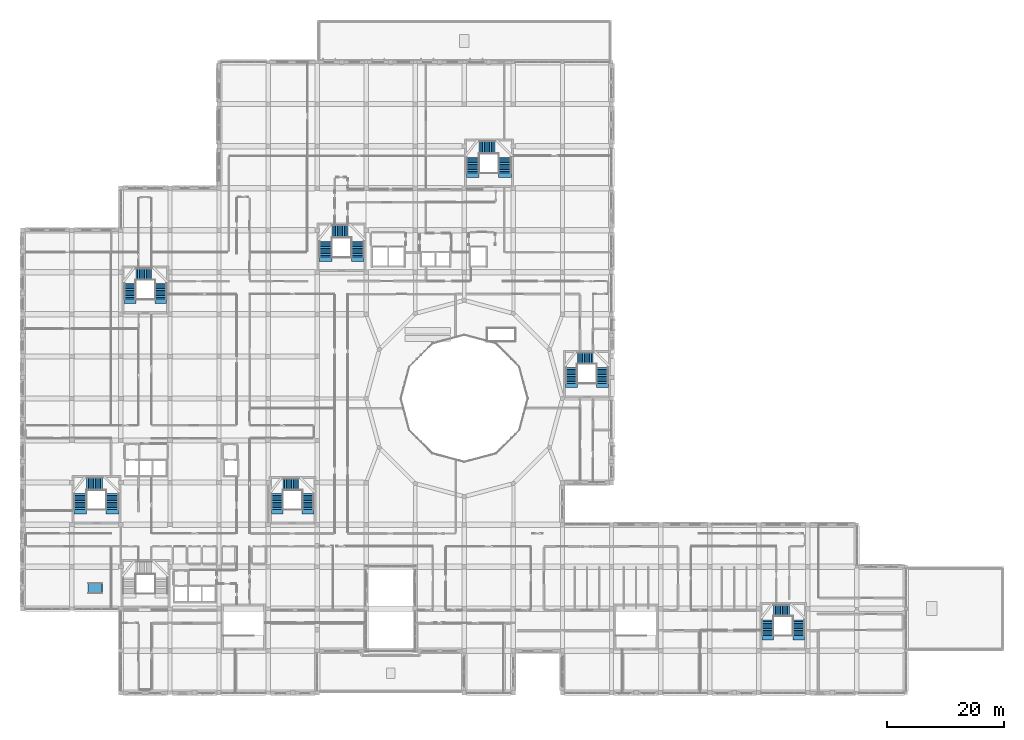
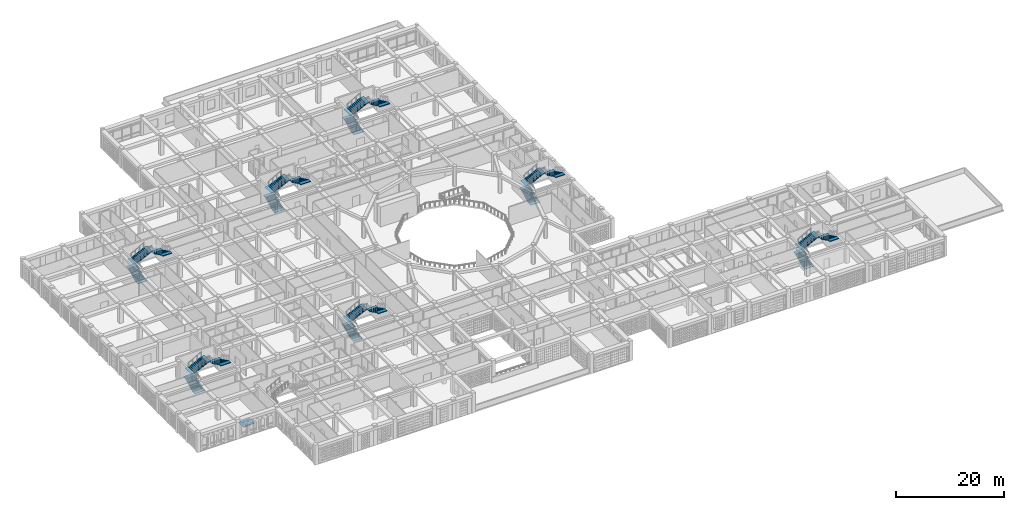
# One storey, part 73 of 111: 21 stair flights, 1 ramp flight, 8 elements without a shape of their own.
"""IFC4 building model written with IfcOpenShell, lengths in metres."""

from ifc_helpers import new_model, si_unit, derived_unit, direction, frame, origin, place, context, subcontext, project, spatial, polyline, outline, extrude, material, layer, layer_set, type_object, element, aggregate, save


model = new_model("IFC4")

# Units and contexts
model_context = context("Model", 3, precision=1e-05, world=origin(), true_north=direction((0.0, 1.0)))
body_context = subcontext(model_context, "Body", "Model", "MODEL_VIEW")
ifc_project = project(units=[si_unit("LENGTHUNIT", "METRE"), si_unit("AREAUNIT", "SQUARE_METRE"), si_unit("VOLUMEUNIT", "CUBIC_METRE"), si_unit("PLANEANGLEUNIT", "RADIAN"), si_unit("MASSUNIT", "GRAM", prefix="KILO"), derived_unit("THERMALTRANSMITTANCEUNIT", [(si_unit("POWERUNIT", "WATT"), 1), (si_unit("LENGTHUNIT", "METRE"), -2), (si_unit("THERMODYNAMICTEMPERATUREUNIT", "KELVIN"), -1)])], contexts=[model_context])

# Site, building, storey
site_placement = place(None, origin())
site = spatial("IfcSite", under=ifc_project, at=site_placement, CompositionType="ELEMENT")
building_placement = place(site_placement, origin())
building = spatial("IfcBuilding", under=site, at=building_placement, Name="Veybourne Emporium", CompositionType="ELEMENT")
storey_placement = place(building_placement, frame((0.0, 0.0, 9.89990234375)))
storey = spatial("IfcBuildingStorey", under=building, at=storey_placement, Name="L02", CompositionType="ELEMENT", Elevation=9.89990234375)

# Stair, stair flights
ifc_material = material(Name="Concrete C32/40", Category="concrete")
stair_type_1 = type_object("IfcStairType", Name="Stair_ST-05-R30", PredefinedType="TWO_QUARTER_TURN_STAIR", material=ifc_material)
stair_1_placement = place(storey_placement, origin())
stair_1 = element("IfcStair", 1, at=stair_1_placement, inside=storey, type_object=stair_type_1, Name="L02 stair ST-05", PredefinedType="TWO_QUARTER_TURN_STAIR")
stair_flight_type_1 = type_object("IfcStairFlightType", Name="Flight_FL-2000-R10", PredefinedType="STRAIGHT", material=ifc_material)
stair_flight_1_placement = place(storey_placement, frame((43.550048828125, 31.39990234375, 0.0), z_axis=(0.0, 0.0, 1.0), x_axis=(0.0, 1.0, 0.0)))
stair_flight_1 = element("IfcStairFlight", 2, at=stair_flight_1_placement, type_object=stair_flight_type_1, Name="ST-05-R30 flight 1", NumberOfRisers=10, NumberOfTreads=9, PredefinedType="STRAIGHT", RiserHeight=0.15, TreadLength=0.3, context=body_context, shape_type="SweptSolid", body=[
    extrude(outline(polyline([(-0.75, 0.0), (-0.75, 0.080078125), (-0.375, 0.080078125), (0.0, 0.080078125), (0.0, 0.14990234375), (0.300048828125, 0.14990234375), (0.300048828125, 0.300048828125), (0.60009765625, 0.300048828125), (0.60009765625, 0.449951171875), (0.89990234375, 0.449951171875), (0.89990234375, 0.60009765625), (1.199951171875, 0.60009765625), (1.199951171875, 0.75), (1.5, 0.75), (1.5, 0.89990234375), (1.800048828125, 0.89990234375), (1.800048828125, 1.050048828125), (2.10009765625, 1.050048828125), (2.10009765625, 1.199951171875), (2.39990234375, 1.199951171875), (2.39990234375, 1.35009765625), (2.699951171875, 1.35009765625), (2.699951171875, 1.5), (3.074951171875, 1.5), (3.449951171875, 1.5), (3.449951171875, 1.340087890625), (3.074951171875, 1.340087890625), (2.699951171875, 1.171142578125), (0.357666015625, 0.0), (-0.75, 0.0)])), frame((0.0, 1.0, 0.0), z_axis=(0.0, -1.0, 0.0), x_axis=(1.0, 0.0, 0.0)), (0.0, 0.0, 1.0), 2.0),
])
stair_flight_2_placement = place(storey_placement, frame((44.550048828125, 35.699951171875, 1.5), z_axis=(0.0, 0.0, 1.0), x_axis=(1.0, 0.0, 0.0)))
stair_flight_2 = element("IfcStairFlight", 3, at=stair_flight_2_placement, type_object=stair_flight_type_1, Name="ST-05-R30 flight 2", NumberOfRisers=10, NumberOfTreads=9, PredefinedType="STRAIGHT", RiserHeight=0.15, TreadLength=0.3, context=body_context, shape_type="SweptSolid", body=[
    extrude(outline(polyline([(-0.75, 0.0), (-0.75, 0.080078125), (-0.375, 0.080078125), (0.0, 0.080078125), (0.0, 0.14990234375), (0.300048828125, 0.14990234375), (0.300048828125, 0.300048828125), (0.60009765625, 0.300048828125), (0.60009765625, 0.449951171875), (0.89990234375, 0.449951171875), (0.89990234375, 0.60009765625), (1.199951171875, 0.60009765625), (1.199951171875, 0.75), (1.5, 0.75), (1.5, 0.89990234375), (1.800048828125, 0.89990234375), (1.800048828125, 1.050048828125), (2.10009765625, 1.050048828125), (2.10009765625, 1.199951171875), (2.39990234375, 1.199951171875), (2.39990234375, 1.35009765625), (2.699951171875, 1.35009765625), (2.699951171875, 1.5), (3.074951171875, 1.5), (3.449951171875, 1.5), (3.449951171875, 1.340087890625), (3.074951171875, 1.340087890625), (2.699951171875, 1.171142578125), (0.357666015625, 0.0), (-0.75, 0.0)])), frame((0.0, 1.0, 0.0), z_axis=(0.0, -1.0, 0.0), x_axis=(1.0, 0.0, 0.0)), (0.0, 0.0, 1.0), 2.0),
])
stair_flight_3_placement = place(storey_placement, frame((48.85009765625, 34.10009765625, 3.0), z_axis=(0.0, 0.0, 1.0), x_axis=(0.0, -1.0, 0.0)))
stair_flight_3 = element("IfcStairFlight", 4, at=stair_flight_3_placement, type_object=stair_flight_type_1, Name="ST-05-R30 flight 3", NumberOfRisers=10, NumberOfTreads=9, PredefinedType="STRAIGHT", RiserHeight=0.15, TreadLength=0.3, context=body_context, shape_type="SweptSolid", body=[
    extrude(outline(polyline([(-0.75, 0.0), (-0.75, 0.080078125), (-0.375, 0.080078125), (0.0, 0.080078125), (0.0, 0.14990234375), (0.300048828125, 0.14990234375), (0.300048828125, 0.300048828125), (0.60009765625, 0.300048828125), (0.60009765625, 0.449951171875), (0.89990234375, 0.449951171875), (0.89990234375, 0.60009765625), (1.199951171875, 0.60009765625), (1.199951171875, 0.75), (1.5, 0.75), (1.5, 0.89990234375), (1.800048828125, 0.89990234375), (1.800048828125, 1.050048828125), (2.10009765625, 1.050048828125), (2.10009765625, 1.199951171875), (2.39990234375, 1.199951171875), (2.39990234375, 1.35009765625), (2.699951171875, 1.35009765625), (2.699951171875, 1.5), (3.074951171875, 1.5), (3.449951171875, 1.5), (3.449951171875, 1.340087890625), (3.074951171875, 1.340087890625), (2.699951171875, 1.171142578125), (0.357666015625, 0.0), (-0.75, 0.0)])), frame((0.0, 1.0, 0.0), z_axis=(0.0, -1.0, 0.0), x_axis=(1.0, 0.0, 0.0)), (0.0, 0.0, 1.0), 2.0),
])
aggregate(stair_1, [stair_flight_1, stair_flight_2, stair_flight_3])

stair_type_2 = type_object("IfcStairType", Name="Stair_ST-06-R30", PredefinedType="TWO_QUARTER_TURN_STAIR", material=ifc_material)
stair_2_placement = place(storey_placement, origin())
stair_2 = element("IfcStair", 5, at=stair_2_placement, inside=storey, type_object=stair_type_2, Name="L02 stair ST-06", PredefinedType="TWO_QUARTER_TURN_STAIR")
stair_flight_4_placement = place(storey_placement, frame((127.550048828125, 9.800048828125, 0.0), z_axis=(0.0, 0.0, 1.0), x_axis=(0.0, 1.0, 0.0)))
stair_flight_4 = element("IfcStairFlight", 6, at=stair_flight_4_placement, type_object=stair_flight_type_1, Name="ST-06-R30 flight 1", NumberOfRisers=10, NumberOfTreads=9, PredefinedType="STRAIGHT", RiserHeight=0.15, TreadLength=0.3, context=body_context, shape_type="SweptSolid", body=[
    extrude(outline(polyline([(-0.75, 0.0), (-0.75, 0.080078125), (-0.375, 0.080078125), (0.0, 0.080078125), (0.0, 0.14990234375), (0.300048828125, 0.14990234375), (0.300048828125, 0.300048828125), (0.60009765625, 0.300048828125), (0.60009765625, 0.449951171875), (0.89990234375, 0.449951171875), (0.89990234375, 0.60009765625), (1.199951171875, 0.60009765625), (1.199951171875, 0.75), (1.5, 0.75), (1.5, 0.89990234375), (1.800048828125, 0.89990234375), (1.800048828125, 1.050048828125), (2.10009765625, 1.050048828125), (2.10009765625, 1.199951171875), (2.39990234375, 1.199951171875), (2.39990234375, 1.35009765625), (2.699951171875, 1.35009765625), (2.699951171875, 1.5), (3.074951171875, 1.5), (3.449951171875, 1.5), (3.449951171875, 1.340087890625), (3.074951171875, 1.340087890625), (2.699951171875, 1.171142578125), (0.357666015625, 0.0), (-0.75, 0.0)])), frame((0.0, 1.0, 0.0), z_axis=(0.0, -1.0, 0.0), x_axis=(1.0, 0.0, 0.0)), (0.0, 0.0, 1.0), 2.0),
])
stair_flight_5_placement = place(storey_placement, frame((128.550048828125, 14.10009765625, 1.5), z_axis=(0.0, 0.0, 1.0), x_axis=(1.0, 0.0, 0.0)))
stair_flight_5 = element("IfcStairFlight", 7, at=stair_flight_5_placement, type_object=stair_flight_type_1, Name="ST-06-R30 flight 2", NumberOfRisers=10, NumberOfTreads=9, PredefinedType="STRAIGHT", RiserHeight=0.15, TreadLength=0.3, context=body_context, shape_type="SweptSolid", body=[
    extrude(outline(polyline([(-0.75, 0.0), (-0.75, 0.080078125), (-0.375, 0.080078125), (0.0, 0.080078125), (0.0, 0.14990234375), (0.300048828125, 0.14990234375), (0.300048828125, 0.300048828125), (0.60009765625, 0.300048828125), (0.60009765625, 0.449951171875), (0.89990234375, 0.449951171875), (0.89990234375, 0.60009765625), (1.199951171875, 0.60009765625), (1.199951171875, 0.75), (1.5, 0.75), (1.5, 0.89990234375), (1.800048828125, 0.89990234375), (1.800048828125, 1.050048828125), (2.10009765625, 1.050048828125), (2.10009765625, 1.199951171875), (2.39990234375, 1.199951171875), (2.39990234375, 1.35009765625), (2.699951171875, 1.35009765625), (2.699951171875, 1.5), (3.074951171875, 1.5), (3.449951171875, 1.5), (3.449951171875, 1.340087890625), (3.074951171875, 1.340087890625), (2.699951171875, 1.171142578125), (0.357666015625, 0.0), (-0.75, 0.0)])), frame((0.0, 1.0, 0.0), z_axis=(0.0, -1.0, 0.0), x_axis=(1.0, 0.0, 0.0)), (0.0, 0.0, 1.0), 2.0),
])
stair_flight_6_placement = place(storey_placement, frame((132.85009765625, 12.5, 3.0), z_axis=(0.0, 0.0, 1.0), x_axis=(0.0, -1.0, 0.0)))
stair_flight_6 = element("IfcStairFlight", 8, at=stair_flight_6_placement, type_object=stair_flight_type_1, Name="ST-06-R30 flight 3", NumberOfRisers=10, NumberOfTreads=9, PredefinedType="STRAIGHT", RiserHeight=0.15, TreadLength=0.3, context=body_context, shape_type="SweptSolid", body=[
    extrude(outline(polyline([(-0.75, 0.0), (-0.75, 0.080078125), (-0.375, 0.080078125), (0.0, 0.080078125), (0.0, 0.14990234375), (0.300048828125, 0.14990234375), (0.300048828125, 0.300048828125), (0.60009765625, 0.300048828125), (0.60009765625, 0.449951171875), (0.89990234375, 0.449951171875), (0.89990234375, 0.60009765625), (1.199951171875, 0.60009765625), (1.199951171875, 0.75), (1.5, 0.75), (1.5, 0.89990234375), (1.800048828125, 0.89990234375), (1.800048828125, 1.050048828125), (2.10009765625, 1.050048828125), (2.10009765625, 1.199951171875), (2.39990234375, 1.199951171875), (2.39990234375, 1.35009765625), (2.699951171875, 1.35009765625), (2.699951171875, 1.5), (3.074951171875, 1.5), (3.449951171875, 1.5), (3.449951171875, 1.340087890625), (3.074951171875, 1.340087890625), (2.699951171875, 1.171142578125), (0.357666015625, 0.0), (-0.75, 0.0)])), frame((0.0, 1.0, 0.0), z_axis=(0.0, -1.0, 0.0), x_axis=(1.0, 0.0, 0.0)), (0.0, 0.0, 1.0), 2.0),
])
aggregate(stair_2, [stair_flight_4, stair_flight_5, stair_flight_6])

stair_type_3 = type_object("IfcStairType", Name="Stair_ST-07-R30", PredefinedType="TWO_QUARTER_TURN_STAIR", material=ifc_material)
stair_3_placement = place(storey_placement, origin())
stair_3 = element("IfcStair", 9, at=stair_3_placement, inside=storey, type_object=stair_type_3, Name="L02 stair ST-07", PredefinedType="TWO_QUARTER_TURN_STAIR")
stair_flight_7_placement = place(storey_placement, frame((93.949951171875, 53.0, 0.0), z_axis=(0.0, 0.0, 1.0), x_axis=(0.0, 1.0, 0.0)))
stair_flight_7 = element("IfcStairFlight", 10, at=stair_flight_7_placement, type_object=stair_flight_type_1, Name="ST-07-R30 flight 1", NumberOfRisers=10, NumberOfTreads=9, PredefinedType="STRAIGHT", RiserHeight=0.15, TreadLength=0.3, context=body_context, shape_type="SweptSolid", body=[
    extrude(outline(polyline([(-0.75, 0.0), (-0.75, 0.080078125), (-0.375, 0.080078125), (0.0, 0.080078125), (0.0, 0.14990234375), (0.300048828125, 0.14990234375), (0.300048828125, 0.300048828125), (0.60009765625, 0.300048828125), (0.60009765625, 0.449951171875), (0.89990234375, 0.449951171875), (0.89990234375, 0.60009765625), (1.199951171875, 0.60009765625), (1.199951171875, 0.75), (1.5, 0.75), (1.5, 0.89990234375), (1.800048828125, 0.89990234375), (1.800048828125, 1.050048828125), (2.10009765625, 1.050048828125), (2.10009765625, 1.199951171875), (2.39990234375, 1.199951171875), (2.39990234375, 1.35009765625), (2.699951171875, 1.35009765625), (2.699951171875, 1.5), (3.074951171875, 1.5), (3.449951171875, 1.5), (3.449951171875, 1.340087890625), (3.074951171875, 1.340087890625), (2.699951171875, 1.171142578125), (0.357666015625, 0.0), (-0.75, 0.0)])), frame((0.0, 1.0, 0.0), z_axis=(0.0, -1.0, 0.0), x_axis=(1.0, 0.0, 0.0)), (0.0, 0.0, 1.0), 2.0),
])
stair_flight_8_placement = place(storey_placement, frame((94.949951171875, 57.300048828125, 1.5), z_axis=(0.0, 0.0, 1.0), x_axis=(1.0, 0.0, 0.0)))
stair_flight_8 = element("IfcStairFlight", 11, at=stair_flight_8_placement, type_object=stair_flight_type_1, Name="ST-07-R30 flight 2", NumberOfRisers=10, NumberOfTreads=9, PredefinedType="STRAIGHT", RiserHeight=0.15, TreadLength=0.3, context=body_context, shape_type="SweptSolid", body=[
    extrude(outline(polyline([(-0.75, 0.0), (-0.75, 0.080078125), (-0.375, 0.080078125), (0.0, 0.080078125), (0.0, 0.14990234375), (0.300048828125, 0.14990234375), (0.300048828125, 0.300048828125), (0.60009765625, 0.300048828125), (0.60009765625, 0.449951171875), (0.89990234375, 0.449951171875), (0.89990234375, 0.60009765625), (1.199951171875, 0.60009765625), (1.199951171875, 0.75), (1.5, 0.75), (1.5, 0.89990234375), (1.800048828125, 0.89990234375), (1.800048828125, 1.050048828125), (2.10009765625, 1.050048828125), (2.10009765625, 1.199951171875), (2.39990234375, 1.199951171875), (2.39990234375, 1.35009765625), (2.699951171875, 1.35009765625), (2.699951171875, 1.5), (3.074951171875, 1.5), (3.449951171875, 1.5), (3.449951171875, 1.340087890625), (3.074951171875, 1.340087890625), (2.699951171875, 1.171142578125), (0.357666015625, 0.0), (-0.75, 0.0)])), frame((0.0, 1.0, 0.0), z_axis=(0.0, -1.0, 0.0), x_axis=(1.0, 0.0, 0.0)), (0.0, 0.0, 1.0), 2.0),
])
stair_flight_9_placement = place(storey_placement, frame((99.25, 55.699951171875, 3.0), z_axis=(0.0, 0.0, 1.0), x_axis=(0.0, -1.0, 0.0)))
stair_flight_9 = element("IfcStairFlight", 12, at=stair_flight_9_placement, type_object=stair_flight_type_1, Name="ST-07-R30 flight 3", NumberOfRisers=10, NumberOfTreads=9, PredefinedType="STRAIGHT", RiserHeight=0.15, TreadLength=0.3, context=body_context, shape_type="SweptSolid", body=[
    extrude(outline(polyline([(-0.75, 0.0), (-0.75, 0.080078125), (-0.375, 0.080078125), (0.0, 0.080078125), (0.0, 0.14990234375), (0.300048828125, 0.14990234375), (0.300048828125, 0.300048828125), (0.60009765625, 0.300048828125), (0.60009765625, 0.449951171875), (0.89990234375, 0.449951171875), (0.89990234375, 0.60009765625), (1.199951171875, 0.60009765625), (1.199951171875, 0.75), (1.5, 0.75), (1.5, 0.89990234375), (1.800048828125, 0.89990234375), (1.800048828125, 1.050048828125), (2.10009765625, 1.050048828125), (2.10009765625, 1.199951171875), (2.39990234375, 1.199951171875), (2.39990234375, 1.35009765625), (2.699951171875, 1.35009765625), (2.699951171875, 1.5), (3.074951171875, 1.5), (3.449951171875, 1.5), (3.449951171875, 1.340087890625), (3.074951171875, 1.340087890625), (2.699951171875, 1.171142578125), (0.357666015625, 0.0), (-0.75, 0.0)])), frame((0.0, 1.0, 0.0), z_axis=(0.0, -1.0, 0.0), x_axis=(1.0, 0.0, 0.0)), (0.0, 0.0, 1.0), 2.0),
])
aggregate(stair_3, [stair_flight_7, stair_flight_8, stair_flight_9])

stair_type_4 = type_object("IfcStairType", Name="Stair_ST-08-R30", PredefinedType="TWO_QUARTER_TURN_STAIR", material=ifc_material)
stair_4_placement = place(storey_placement, origin())
stair_4 = element("IfcStair", 13, at=stair_4_placement, inside=storey, type_object=stair_type_4, Name="L02 stair ST-08", PredefinedType="TWO_QUARTER_TURN_STAIR")
stair_flight_10_placement = place(storey_placement, frame((18.35009765625, 67.39990234375, 0.0), z_axis=(0.0, 0.0, 1.0), x_axis=(0.0, 1.0, 0.0)))
stair_flight_10 = element("IfcStairFlight", 14, at=stair_flight_10_placement, type_object=stair_flight_type_1, Name="ST-08-R30 flight 1", NumberOfRisers=10, NumberOfTreads=9, PredefinedType="STRAIGHT", RiserHeight=0.15, TreadLength=0.3, context=body_context, shape_type="SweptSolid", body=[
    extrude(outline(polyline([(-0.75, 0.0), (-0.75, 0.080078125), (-0.375, 0.080078125), (0.0, 0.080078125), (0.0, 0.14990234375), (0.300048828125, 0.14990234375), (0.300048828125, 0.300048828125), (0.60009765625, 0.300048828125), (0.60009765625, 0.449951171875), (0.89990234375, 0.449951171875), (0.89990234375, 0.60009765625), (1.199951171875, 0.60009765625), (1.199951171875, 0.75), (1.5, 0.75), (1.5, 0.89990234375), (1.800048828125, 0.89990234375), (1.800048828125, 1.050048828125), (2.10009765625, 1.050048828125), (2.10009765625, 1.199951171875), (2.39990234375, 1.199951171875), (2.39990234375, 1.35009765625), (2.699951171875, 1.35009765625), (2.699951171875, 1.5), (3.074951171875, 1.5), (3.449951171875, 1.5), (3.449951171875, 1.340087890625), (3.074951171875, 1.340087890625), (2.699951171875, 1.171142578125), (0.357666015625, 0.0), (-0.75, 0.0)])), frame((0.0, 1.0, 0.0), z_axis=(0.0, -1.0, 0.0), x_axis=(1.0, 0.0, 0.0)), (0.0, 0.0, 1.0), 2.0),
])
stair_flight_11_placement = place(storey_placement, frame((19.35009765625, 71.699951171875, 1.5), z_axis=(0.0, 0.0, 1.0), x_axis=(1.0, 0.0, 0.0)))
stair_flight_11 = element("IfcStairFlight", 15, at=stair_flight_11_placement, type_object=stair_flight_type_1, Name="ST-08-R30 flight 2", NumberOfRisers=10, NumberOfTreads=9, PredefinedType="STRAIGHT", RiserHeight=0.15, TreadLength=0.3, context=body_context, shape_type="SweptSolid", body=[
    extrude(outline(polyline([(-0.75, 0.0), (-0.75, 0.080078125), (-0.375, 0.080078125), (0.0, 0.080078125), (0.0, 0.14990234375), (0.300048828125, 0.14990234375), (0.300048828125, 0.300048828125), (0.60009765625, 0.300048828125), (0.60009765625, 0.449951171875), (0.89990234375, 0.449951171875), (0.89990234375, 0.60009765625), (1.199951171875, 0.60009765625), (1.199951171875, 0.75), (1.5, 0.75), (1.5, 0.89990234375), (1.800048828125, 0.89990234375), (1.800048828125, 1.050048828125), (2.10009765625, 1.050048828125), (2.10009765625, 1.199951171875), (2.39990234375, 1.199951171875), (2.39990234375, 1.35009765625), (2.699951171875, 1.35009765625), (2.699951171875, 1.5), (3.074951171875, 1.5), (3.449951171875, 1.5), (3.449951171875, 1.340087890625), (3.074951171875, 1.340087890625), (2.699951171875, 1.171142578125), (0.357666015625, 0.0), (-0.75, 0.0)])), frame((0.0, 1.0, 0.0), z_axis=(0.0, -1.0, 0.0), x_axis=(1.0, 0.0, 0.0)), (0.0, 0.0, 1.0), 2.0),
])
stair_flight_12_placement = place(storey_placement, frame((23.64990234375, 70.10009765625, 3.0), z_axis=(0.0, 0.0, 1.0), x_axis=(0.0, -1.0, 0.0)))
stair_flight_12 = element("IfcStairFlight", 16, at=stair_flight_12_placement, type_object=stair_flight_type_1, Name="ST-08-R30 flight 3", NumberOfRisers=10, NumberOfTreads=9, PredefinedType="STRAIGHT", RiserHeight=0.15, TreadLength=0.3, context=body_context, shape_type="SweptSolid", body=[
    extrude(outline(polyline([(-0.75, 0.0), (-0.75, 0.080078125), (-0.375, 0.080078125), (0.0, 0.080078125), (0.0, 0.14990234375), (0.300048828125, 0.14990234375), (0.300048828125, 0.300048828125), (0.60009765625, 0.300048828125), (0.60009765625, 0.449951171875), (0.89990234375, 0.449951171875), (0.89990234375, 0.60009765625), (1.199951171875, 0.60009765625), (1.199951171875, 0.75), (1.5, 0.75), (1.5, 0.89990234375), (1.800048828125, 0.89990234375), (1.800048828125, 1.050048828125), (2.10009765625, 1.050048828125), (2.10009765625, 1.199951171875), (2.39990234375, 1.199951171875), (2.39990234375, 1.35009765625), (2.699951171875, 1.35009765625), (2.699951171875, 1.5), (3.074951171875, 1.5), (3.449951171875, 1.5), (3.449951171875, 1.340087890625), (3.074951171875, 1.340087890625), (2.699951171875, 1.171142578125), (0.357666015625, 0.0), (-0.75, 0.0)])), frame((0.0, 1.0, 0.0), z_axis=(0.0, -1.0, 0.0), x_axis=(1.0, 0.0, 0.0)), (0.0, 0.0, 1.0), 2.0),
])
aggregate(stair_4, [stair_flight_10, stair_flight_11, stair_flight_12])

stair_type_5 = type_object("IfcStairType", Name="Stair_ST-02-R30", PredefinedType="TWO_QUARTER_TURN_STAIR", material=ifc_material)
stair_5_placement = place(storey_placement, origin())
stair_5 = element("IfcStair", 17, at=stair_5_placement, inside=storey, type_object=stair_type_5, Name="L02 stair ST-02", PredefinedType="TWO_QUARTER_TURN_STAIR")
stair_flight_type_2 = type_object("IfcStairFlightType", Name="Flight_FL-2200-R10", PredefinedType="STRAIGHT", material=ifc_material)
stair_flight_13_placement = place(storey_placement, frame((9.85009765625, 31.39990234375, 0.0), z_axis=(0.0, 0.0, 1.0), x_axis=(0.0, 1.0, 0.0)))
stair_flight_13 = element("IfcStairFlight", 18, at=stair_flight_13_placement, type_object=stair_flight_type_2, Name="ST-02-R30 flight 1", NumberOfRisers=10, NumberOfTreads=9, PredefinedType="STRAIGHT", RiserHeight=0.15, TreadLength=0.3, context=body_context, shape_type="SweptSolid", body=[
    extrude(outline(polyline([(-0.75, 0.0), (-0.75, 0.080078125), (-0.375, 0.080078125), (0.0, 0.080078125), (0.0, 0.14990234375), (0.300048828125, 0.14990234375), (0.300048828125, 0.300048828125), (0.60009765625, 0.300048828125), (0.60009765625, 0.449951171875), (0.89990234375, 0.449951171875), (0.89990234375, 0.60009765625), (1.199951171875, 0.60009765625), (1.199951171875, 0.75), (1.5, 0.75), (1.5, 0.89990234375), (1.800048828125, 0.89990234375), (1.800048828125, 1.050048828125), (2.10009765625, 1.050048828125), (2.10009765625, 1.199951171875), (2.39990234375, 1.199951171875), (2.39990234375, 1.35009765625), (2.699951171875, 1.35009765625), (2.699951171875, 1.5), (3.074951171875, 1.5), (3.449951171875, 1.5), (3.449951171875, 1.340087890625), (3.074951171875, 1.340087890625), (2.699951171875, 1.171142578125), (0.357666015625, 0.0), (-0.75, 0.0)])), frame((0.0, 1.10009765625, 0.0), z_axis=(0.0, -1.0, 0.0), x_axis=(1.0, 0.0, 0.0)), (0.0, 0.0, 1.0), 2.199951171875),
])
stair_flight_14_placement = place(storey_placement, frame((10.949951171875, 35.800048828125, 1.5), z_axis=(0.0, 0.0, 1.0), x_axis=(1.0, 0.0, 0.0)))
stair_flight_14 = element("IfcStairFlight", 19, at=stair_flight_14_placement, type_object=stair_flight_type_2, Name="ST-02-R30 flight 2", NumberOfRisers=10, NumberOfTreads=9, PredefinedType="STRAIGHT", RiserHeight=0.15, TreadLength=0.3, context=body_context, shape_type="SweptSolid", body=[
    extrude(outline(polyline([(-0.75, 0.0), (-0.75, 0.080078125), (-0.375, 0.080078125), (0.0, 0.080078125), (0.0, 0.14990234375), (0.300048828125, 0.14990234375), (0.300048828125, 0.300048828125), (0.60009765625, 0.300048828125), (0.60009765625, 0.449951171875), (0.89990234375, 0.449951171875), (0.89990234375, 0.60009765625), (1.199951171875, 0.60009765625), (1.199951171875, 0.75), (1.5, 0.75), (1.5, 0.89990234375), (1.800048828125, 0.89990234375), (1.800048828125, 1.050048828125), (2.10009765625, 1.050048828125), (2.10009765625, 1.199951171875), (2.39990234375, 1.199951171875), (2.39990234375, 1.35009765625), (2.699951171875, 1.35009765625), (2.699951171875, 1.5), (3.074951171875, 1.5), (3.449951171875, 1.5), (3.449951171875, 1.340087890625), (3.074951171875, 1.340087890625), (2.699951171875, 1.171142578125), (0.357666015625, 0.0), (-0.75, 0.0)])), frame((0.0, 1.10009765625, 0.0), z_axis=(0.0, -1.0, 0.0), x_axis=(1.0, 0.0, 0.0)), (0.0, 0.0, 1.0), 2.199951171875),
])
stair_flight_15_placement = place(storey_placement, frame((15.35009765625, 34.10009765625, 3.0), z_axis=(0.0, 0.0, 1.0), x_axis=(0.0, -1.0, 0.0)))
stair_flight_15 = element("IfcStairFlight", 20, at=stair_flight_15_placement, type_object=stair_flight_type_2, Name="ST-02-R30 flight 3", NumberOfRisers=10, NumberOfTreads=9, PredefinedType="STRAIGHT", RiserHeight=0.15, TreadLength=0.3, context=body_context, shape_type="SweptSolid", body=[
    extrude(outline(polyline([(-0.75, 0.0), (-0.75, 0.080078125), (-0.375, 0.080078125), (0.0, 0.080078125), (0.0, 0.14990234375), (0.300048828125, 0.14990234375), (0.300048828125, 0.300048828125), (0.60009765625, 0.300048828125), (0.60009765625, 0.449951171875), (0.89990234375, 0.449951171875), (0.89990234375, 0.60009765625), (1.199951171875, 0.60009765625), (1.199951171875, 0.75), (1.5, 0.75), (1.5, 0.89990234375), (1.800048828125, 0.89990234375), (1.800048828125, 1.050048828125), (2.10009765625, 1.050048828125), (2.10009765625, 1.199951171875), (2.39990234375, 1.199951171875), (2.39990234375, 1.35009765625), (2.699951171875, 1.35009765625), (2.699951171875, 1.5), (3.074951171875, 1.5), (3.449951171875, 1.5), (3.449951171875, 1.340087890625), (3.074951171875, 1.340087890625), (2.699951171875, 1.171142578125), (0.357666015625, 0.0), (-0.75, 0.0)])), frame((0.0, 1.10009765625, 0.0), z_axis=(0.0, -1.0, 0.0), x_axis=(1.0, 0.0, 0.0)), (0.0, 0.0, 1.0), 2.199951171875),
])
aggregate(stair_5, [stair_flight_13, stair_flight_14, stair_flight_15])

stair_type_6 = type_object("IfcStairType", Name="Stair_ST-03-R30", PredefinedType="TWO_QUARTER_TURN_STAIR", material=ifc_material)
stair_6_placement = place(storey_placement, origin())
stair_6 = element("IfcStair", 21, at=stair_6_placement, inside=storey, type_object=stair_type_6, Name="L02 stair ST-03", PredefinedType="TWO_QUARTER_TURN_STAIR")
stair_flight_16_placement = place(storey_placement, frame((51.85009765625, 74.60009765625, 0.0), z_axis=(0.0, 0.0, 1.0), x_axis=(0.0, 1.0, 0.0)))
stair_flight_16 = element("IfcStairFlight", 22, at=stair_flight_16_placement, type_object=stair_flight_type_2, Name="ST-03-R30 flight 1", NumberOfRisers=10, NumberOfTreads=9, PredefinedType="STRAIGHT", RiserHeight=0.15, TreadLength=0.3, context=body_context, shape_type="SweptSolid", body=[
    extrude(outline(polyline([(-0.75, 0.0), (-0.75, 0.080078125), (-0.375, 0.080078125), (0.0, 0.080078125), (0.0, 0.14990234375), (0.300048828125, 0.14990234375), (0.300048828125, 0.300048828125), (0.60009765625, 0.300048828125), (0.60009765625, 0.449951171875), (0.89990234375, 0.449951171875), (0.89990234375, 0.60009765625), (1.199951171875, 0.60009765625), (1.199951171875, 0.75), (1.5, 0.75), (1.5, 0.89990234375), (1.800048828125, 0.89990234375), (1.800048828125, 1.050048828125), (2.10009765625, 1.050048828125), (2.10009765625, 1.199951171875), (2.39990234375, 1.199951171875), (2.39990234375, 1.35009765625), (2.699951171875, 1.35009765625), (2.699951171875, 1.5), (3.074951171875, 1.5), (3.449951171875, 1.5), (3.449951171875, 1.340087890625), (3.074951171875, 1.340087890625), (2.699951171875, 1.171142578125), (0.357666015625, 0.0), (-0.75, 0.0)])), frame((0.0, 1.10009765625, 0.0), z_axis=(0.0, -1.0, 0.0), x_axis=(1.0, 0.0, 0.0)), (0.0, 0.0, 1.0), 2.199951171875),
])
stair_flight_17_placement = place(storey_placement, frame((52.949951171875, 79.0, 1.5), z_axis=(0.0, 0.0, 1.0), x_axis=(1.0, 0.0, 0.0)))
stair_flight_17 = element("IfcStairFlight", 23, at=stair_flight_17_placement, type_object=stair_flight_type_2, Name="ST-03-R30 flight 2", NumberOfRisers=10, NumberOfTreads=9, PredefinedType="STRAIGHT", RiserHeight=0.15, TreadLength=0.3, context=body_context, shape_type="SweptSolid", body=[
    extrude(outline(polyline([(-0.75, 0.0), (-0.75, 0.080078125), (-0.375, 0.080078125), (0.0, 0.080078125), (0.0, 0.14990234375), (0.300048828125, 0.14990234375), (0.300048828125, 0.300048828125), (0.60009765625, 0.300048828125), (0.60009765625, 0.449951171875), (0.89990234375, 0.449951171875), (0.89990234375, 0.60009765625), (1.199951171875, 0.60009765625), (1.199951171875, 0.75), (1.5, 0.75), (1.5, 0.89990234375), (1.800048828125, 0.89990234375), (1.800048828125, 1.050048828125), (2.10009765625, 1.050048828125), (2.10009765625, 1.199951171875), (2.39990234375, 1.199951171875), (2.39990234375, 1.35009765625), (2.699951171875, 1.35009765625), (2.699951171875, 1.5), (3.074951171875, 1.5), (3.449951171875, 1.5), (3.449951171875, 1.340087890625), (3.074951171875, 1.340087890625), (2.699951171875, 1.171142578125), (0.357666015625, 0.0), (-0.75, 0.0)])), frame((0.0, 1.10009765625, 0.0), z_axis=(0.0, -1.0, 0.0), x_axis=(1.0, 0.0, 0.0)), (0.0, 0.0, 1.0), 2.199951171875),
])
stair_flight_18_placement = place(storey_placement, frame((57.35009765625, 77.300048828125, 3.0), z_axis=(0.0, 0.0, 1.0), x_axis=(0.0, -1.0, 0.0)))
stair_flight_18 = element("IfcStairFlight", 24, at=stair_flight_18_placement, type_object=stair_flight_type_2, Name="ST-03-R30 flight 3", NumberOfRisers=10, NumberOfTreads=9, PredefinedType="STRAIGHT", RiserHeight=0.15, TreadLength=0.3, context=body_context, shape_type="SweptSolid", body=[
    extrude(outline(polyline([(-0.75, 0.0), (-0.75, 0.080078125), (-0.375, 0.080078125), (0.0, 0.080078125), (0.0, 0.14990234375), (0.300048828125, 0.14990234375), (0.300048828125, 0.300048828125), (0.60009765625, 0.300048828125), (0.60009765625, 0.449951171875), (0.89990234375, 0.449951171875), (0.89990234375, 0.60009765625), (1.199951171875, 0.60009765625), (1.199951171875, 0.75), (1.5, 0.75), (1.5, 0.89990234375), (1.800048828125, 0.89990234375), (1.800048828125, 1.050048828125), (2.10009765625, 1.050048828125), (2.10009765625, 1.199951171875), (2.39990234375, 1.199951171875), (2.39990234375, 1.35009765625), (2.699951171875, 1.35009765625), (2.699951171875, 1.5), (3.074951171875, 1.5), (3.449951171875, 1.5), (3.449951171875, 1.340087890625), (3.074951171875, 1.340087890625), (2.699951171875, 1.171142578125), (0.357666015625, 0.0), (-0.75, 0.0)])), frame((0.0, 1.10009765625, 0.0), z_axis=(0.0, -1.0, 0.0), x_axis=(1.0, 0.0, 0.0)), (0.0, 0.0, 1.0), 2.199951171875),
])
aggregate(stair_6, [stair_flight_16, stair_flight_17, stair_flight_18])

stair_type_7 = type_object("IfcStairType", Name="Stair_ST-04-R30", PredefinedType="TWO_QUARTER_TURN_STAIR", material=ifc_material)
stair_7_placement = place(storey_placement, origin())
stair_7 = element("IfcStair", 25, at=stair_7_placement, inside=storey, type_object=stair_type_7, Name="L02 stair ST-04", PredefinedType="TWO_QUARTER_TURN_STAIR")
stair_flight_19_placement = place(storey_placement, frame((77.050048828125, 89.0, 0.0), z_axis=(0.0, 0.0, 1.0), x_axis=(0.0, 1.0, 0.0)))
stair_flight_19 = element("IfcStairFlight", 26, at=stair_flight_19_placement, type_object=stair_flight_type_2, Name="ST-04-R30 flight 1", NumberOfRisers=10, NumberOfTreads=9, PredefinedType="STRAIGHT", RiserHeight=0.15, TreadLength=0.3, context=body_context, shape_type="SweptSolid", body=[
    extrude(outline(polyline([(-0.75, 0.0), (-0.75, 0.080078125), (-0.375, 0.080078125), (0.0, 0.080078125), (0.0, 0.14990234375), (0.300048828125, 0.14990234375), (0.300048828125, 0.300048828125), (0.60009765625, 0.300048828125), (0.60009765625, 0.449951171875), (0.89990234375, 0.449951171875), (0.89990234375, 0.60009765625), (1.199951171875, 0.60009765625), (1.199951171875, 0.75), (1.5, 0.75), (1.5, 0.89990234375), (1.800048828125, 0.89990234375), (1.800048828125, 1.050048828125), (2.10009765625, 1.050048828125), (2.10009765625, 1.199951171875), (2.39990234375, 1.199951171875), (2.39990234375, 1.35009765625), (2.699951171875, 1.35009765625), (2.699951171875, 1.5), (3.074951171875, 1.5), (3.449951171875, 1.5), (3.449951171875, 1.340087890625), (3.074951171875, 1.340087890625), (2.699951171875, 1.171142578125), (0.357666015625, 0.0), (-0.75, 0.0)])), frame((0.0, 1.10009765625, 0.0), z_axis=(0.0, -1.0, 0.0), x_axis=(1.0, 0.0, 0.0)), (0.0, 0.0, 1.0), 2.199951171875),
])
stair_flight_20_placement = place(storey_placement, frame((78.14990234375, 93.39990234375, 1.5), z_axis=(0.0, 0.0, 1.0), x_axis=(1.0, 0.0, 0.0)))
stair_flight_20 = element("IfcStairFlight", 27, at=stair_flight_20_placement, type_object=stair_flight_type_2, Name="ST-04-R30 flight 2", NumberOfRisers=10, NumberOfTreads=9, PredefinedType="STRAIGHT", RiserHeight=0.15, TreadLength=0.3, context=body_context, shape_type="SweptSolid", body=[
    extrude(outline(polyline([(-0.75, 0.0), (-0.75, 0.080078125), (-0.375, 0.080078125), (0.0, 0.080078125), (0.0, 0.14990234375), (0.300048828125, 0.14990234375), (0.300048828125, 0.300048828125), (0.60009765625, 0.300048828125), (0.60009765625, 0.449951171875), (0.89990234375, 0.449951171875), (0.89990234375, 0.60009765625), (1.199951171875, 0.60009765625), (1.199951171875, 0.75), (1.5, 0.75), (1.5, 0.89990234375), (1.800048828125, 0.89990234375), (1.800048828125, 1.050048828125), (2.10009765625, 1.050048828125), (2.10009765625, 1.199951171875), (2.39990234375, 1.199951171875), (2.39990234375, 1.35009765625), (2.699951171875, 1.35009765625), (2.699951171875, 1.5), (3.074951171875, 1.5), (3.449951171875, 1.5), (3.449951171875, 1.340087890625), (3.074951171875, 1.340087890625), (2.699951171875, 1.171142578125), (0.357666015625, 0.0), (-0.75, 0.0)])), frame((0.0, 1.10009765625, 0.0), z_axis=(0.0, -1.0, 0.0), x_axis=(1.0, 0.0, 0.0)), (0.0, 0.0, 1.0), 2.199951171875),
])
stair_flight_21_placement = place(storey_placement, frame((82.550048828125, 91.699951171875, 3.0), z_axis=(0.0, 0.0, 1.0), x_axis=(0.0, -1.0, 0.0)))
stair_flight_21 = element("IfcStairFlight", 28, at=stair_flight_21_placement, type_object=stair_flight_type_2, Name="ST-04-R30 flight 3", NumberOfRisers=10, NumberOfTreads=9, PredefinedType="STRAIGHT", RiserHeight=0.15, TreadLength=0.3, context=body_context, shape_type="SweptSolid", body=[
    extrude(outline(polyline([(-0.75, 0.0), (-0.75, 0.080078125), (-0.375, 0.080078125), (0.0, 0.080078125), (0.0, 0.14990234375), (0.300048828125, 0.14990234375), (0.300048828125, 0.300048828125), (0.60009765625, 0.300048828125), (0.60009765625, 0.449951171875), (0.89990234375, 0.449951171875), (0.89990234375, 0.60009765625), (1.199951171875, 0.60009765625), (1.199951171875, 0.75), (1.5, 0.75), (1.5, 0.89990234375), (1.800048828125, 0.89990234375), (1.800048828125, 1.050048828125), (2.10009765625, 1.050048828125), (2.10009765625, 1.199951171875), (2.39990234375, 1.199951171875), (2.39990234375, 1.35009765625), (2.699951171875, 1.35009765625), (2.699951171875, 1.5), (3.074951171875, 1.5), (3.449951171875, 1.5), (3.449951171875, 1.340087890625), (3.074951171875, 1.340087890625), (2.699951171875, 1.171142578125), (0.357666015625, 0.0), (-0.75, 0.0)])), frame((0.0, 1.10009765625, 0.0), z_axis=(0.0, -1.0, 0.0), x_axis=(1.0, 0.0, 0.0)), (0.0, 0.0, 1.0), 2.199951171875),
])
aggregate(stair_7, [stair_flight_19, stair_flight_20, stair_flight_21])

# Ramp, ramp flight
ramp_type = type_object("IfcRampType", Name="Ramp_RMP-01", PredefinedType="STRAIGHT_RUN_RAMP", material=ifc_material)
ramp_placement = place(storey_placement, origin())
ramp = element("IfcRamp", 29, at=ramp_placement, inside=storey, type_object=ramp_type, Name="Step-free threshold transition ramp RMP-05", PredefinedType="STRAIGHT_RUN_RAMP")
ifc_layer = layer(ifc_material, 0.179931640625)
ifc_layer_set = layer_set([ifc_layer], Name="Concrete C32/40")
ramp_flight_type = type_object("IfcRampFlightType", Name="RampFlight_RFL-01", PredefinedType="STRAIGHT", material=ifc_layer_set)
ramp_flight_placement = place(storey_placement, frame((11.199951171875, 17.0, 0.0), z_axis=(-0.049983219245, 0.0, 0.998750057719), x_axis=(0.998750057719, 0.0, 0.049983219245)))
ramp_flight = element("IfcRampFlight", 30, at=ramp_flight_placement, type_object=ramp_flight_type, Name="Ramp RMP-05 solid flight", PredefinedType="STRAIGHT", context=body_context, shape_type="SweptSolid", body=[
    extrude(outline(polyline([(0.0, 0.0), (2.4031502835217324, 0.0), (2.4031502835217324, 1.800048828125), (0.0, 1.800048828125), (0.0, 0.0)])), origin(), (0.0, 0.0, -1.0), 0.179931640625),
])
aggregate(ramp, [ramp_flight])

save(model, "model.ifc")
